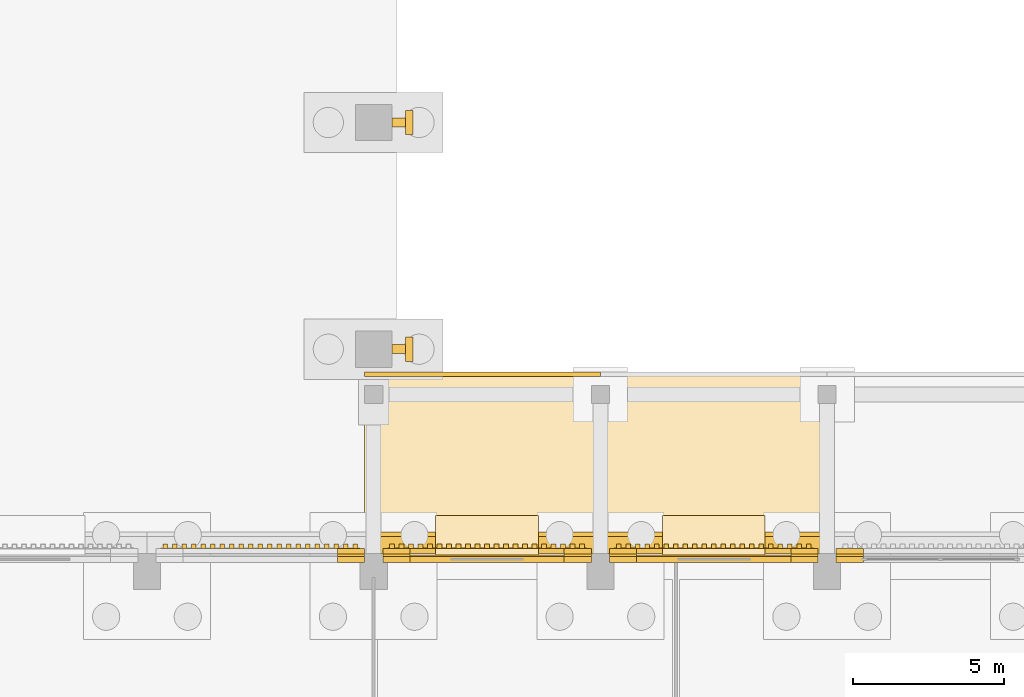
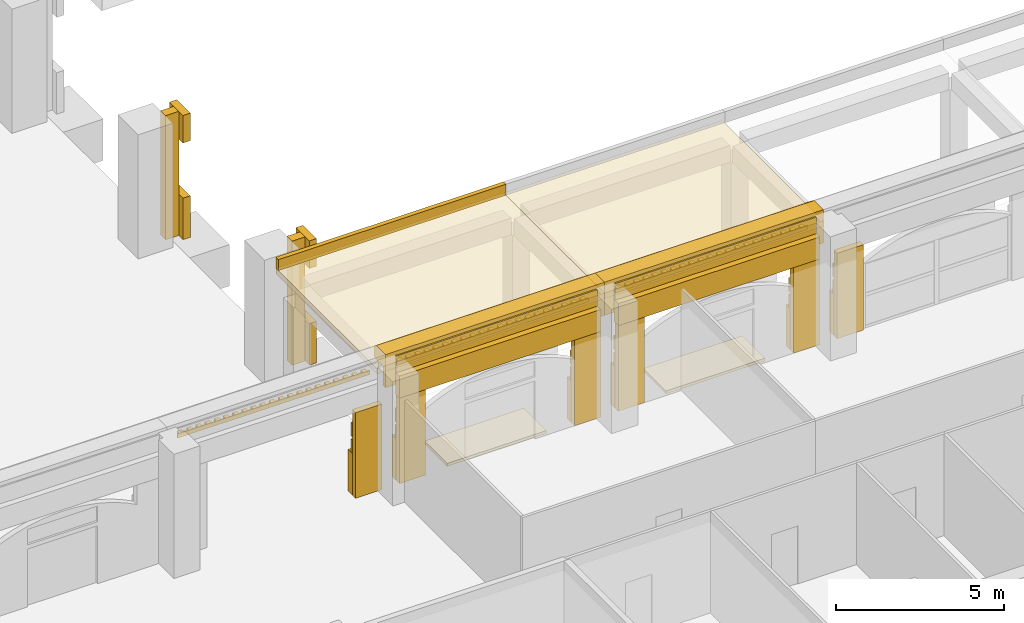
# One storey, part 78 of 99: 42 coverings, 1 element without a shape of its own.
"""IFC4 building model written with IfcOpenShell, lengths in metres."""

from ifc_helpers import new_model, si_unit, direction, frame, origin, place, context, subcontext, project, spatial, polyline, outline, extrude, material, layer, layer_set, type_object, element, aggregate, save


model = new_model("IFC4")

# Units and contexts
model_context = context("Model", 3, precision=1e-05, world=origin(), true_north=direction((0.0, 1.0)))
body_context = subcontext(model_context, "Body", "Model", "MODEL_VIEW")
ifc_project = project(units=[si_unit("LENGTHUNIT", "METRE"), si_unit("AREAUNIT", "SQUARE_METRE"), si_unit("VOLUMEUNIT", "CUBIC_METRE"), si_unit("PLANEANGLEUNIT", "RADIAN"), si_unit("MASSUNIT", "GRAM", prefix="KILO")], contexts=[model_context])

# Site, building, storey
site_placement = place(None, origin())
site = spatial("IfcSite", under=ifc_project, at=site_placement, CompositionType="ELEMENT")
building_placement = place(site_placement, origin())
building = spatial("IfcBuilding", under=site, at=building_placement, Name="Cour d'Honneur Mobility Palace", CompositionType="ELEMENT")
storey_placement = place(building_placement, origin())
storey = spatial("IfcBuildingStorey", under=building, at=storey_placement, Name="L00", CompositionType="ELEMENT", Elevation=0.0)

# Roof, coverings
ifc_material_1 = material(Name="Concrete C50", Category="concrete")
ifc_layer_1 = layer(ifc_material_1, 0.199951171875)
ifc_layer_set_1 = layer_set([ifc_layer_1], Name="Concrete C50")
roof_type = type_object("IfcRoofType", Name="Arcade canopy", PredefinedType="FLAT_ROOF", material=ifc_layer_set_1)
roof_placement = place(storey_placement, origin())
roof = element("IfcRoof", 1, at=roof_placement, inside=storey, type_object=roof_type, Name="Arcade canopy E", PredefinedType="FLAT_ROOF")
ifc_material_2 = material(Name="Concrete C50", Category="concrete")
ifc_layer_2 = layer(ifc_material_2, 0.199951171875)
ifc_layer_set_2 = layer_set([ifc_layer_2], Name="Concrete C50")
covering_type_1 = type_object("IfcCoveringType", Name="Arcade canopy slab 200", PredefinedType="ROOFING", material=ifc_layer_set_2)
covering_1_placement = place(storey_placement, frame((0.0, 0.0, 4.0)))
covering_1 = element("IfcCovering", 2, at=covering_1_placement, type_object=covering_type_1, Name="Arcade canopy slab AS-E1", PredefinedType="ROOFING", context=body_context, shape_type="SweptSolid", body=[
    extrude(outline(polyline([(99.60009765625, 63.14990234375), (107.39990234375, 63.14990234375), (107.39990234375, 69.14990234375), (99.60009765625, 69.14990234375), (99.60009765625, 63.14990234375)])), origin(), (0.0, 0.0, 1.0), 0.199951171875),
])
covering_2_placement = place(storey_placement, frame((0.0, 0.0, 4.0)))
covering_2 = element("IfcCovering", 3, at=covering_2_placement, type_object=covering_type_1, Name="Arcade canopy slab AS-E2", PredefinedType="ROOFING", context=body_context, shape_type="SweptSolid", body=[
    extrude(outline(polyline([(107.39990234375, 63.14990234375), (114.89990234375, 63.14990234375), (114.89990234375, 69.14990234375), (107.39990234375, 69.14990234375), (107.39990234375, 63.14990234375)])), origin(), (0.0, 0.0, 1.0), 0.199951171875),
])
ifc_material_3 = material(Name="Concrete C50", Category="concrete")
ifc_layer_3 = layer(ifc_material_3, 0.14990234375)
ifc_layer_set_3 = layer_set([ifc_layer_3], Name="Concrete C50")
covering_type_2 = type_object("IfcCoveringType", Name="Arcade parapet 400", PredefinedType="CLADDING", material=ifc_layer_set_3)
covering_3_placement = place(storey_placement, frame((0.0, 0.0, 4.199951171875)))
covering_3 = element("IfcCovering", 4, at=covering_3_placement, type_object=covering_type_2, Name="Arcade parapet AP-E1", PredefinedType="CLADDING", context=body_context, shape_type="SweptSolid", body=[
    extrude(outline(polyline([(99.60009765625, 69.0), (107.39990234375, 69.0), (107.39990234375, 69.14990234375), (99.60009765625, 69.14990234375), (99.60009765625, 69.0)])), origin(), (0.0, 0.0, 1.0), 0.400146484375),
])
aggregate(roof, [covering_1, covering_3, covering_2])

# Coverings
ifc_material_4 = material(Name="Cast limestone", Category="masonry")
ifc_layer_4 = layer(ifc_material_4, 0.14990234375)
ifc_layer_set_4 = layer_set([ifc_layer_4], Name="Cast limestone")
covering_type_3 = type_object("IfcCoveringType", Name="Dentil course", PredefinedType="CLADDING", material=ifc_layer_set_4)
covering_4_placement = place(storey_placement, frame((0.0, 0.0, 3.949951171875)))
element("IfcCovering", 5, at=covering_4_placement, inside=storey, type_object=covering_type_3, Name="Dentil course DC-42", PredefinedType="CLADDING", context=body_context, shape_type="SweptSolid", body=[
    extrude(outline(polyline([(114.449951171875, 63.300048828125), (107.85009765625, 63.300048828125), (107.85009765625, 63.330078125), (107.85009765625, 63.330078125), (107.928466796875, 63.330078125), (107.928466796875, 63.449951171875), (108.085693359375, 63.449951171875), (108.085693359375, 63.330078125), (108.164306640625, 63.330078125), (108.164306640625, 63.330078125), (108.242919921875, 63.330078125), (108.242919921875, 63.449951171875), (108.39990234375, 63.449951171875), (108.39990234375, 63.330078125), (108.478515625, 63.330078125), (108.478515625, 63.330078125), (108.55712890625, 63.330078125), (108.55712890625, 63.449951171875), (108.71435546875, 63.449951171875), (108.71435546875, 63.330078125), (108.79296875, 63.330078125), (108.79296875, 63.330078125), (108.871337890625, 63.330078125), (108.871337890625, 63.449951171875), (109.028564453125, 63.449951171875), (109.028564453125, 63.330078125), (109.107177734375, 63.330078125), (109.107177734375, 63.330078125), (109.185791015625, 63.330078125), (109.185791015625, 63.449951171875), (109.3427734375, 63.449951171875), (109.3427734375, 63.330078125), (109.42138671875, 63.330078125), (109.42138671875, 63.330078125), (109.5, 63.330078125), (109.5, 63.449951171875), (109.6572265625, 63.449951171875), (109.6572265625, 63.330078125), (109.735595703125, 63.330078125), (109.735595703125, 63.330078125), (109.814208984375, 63.330078125), (109.814208984375, 63.449951171875), (109.971435546875, 63.449951171875), (109.971435546875, 63.330078125), (110.050048828125, 63.330078125), (110.050048828125, 63.330078125), (110.128662109375, 63.330078125), (110.128662109375, 63.449951171875), (110.28564453125, 63.449951171875), (110.28564453125, 63.330078125), (110.3642578125, 63.330078125), (110.3642578125, 63.330078125), (110.44287109375, 63.330078125), (110.44287109375, 63.449951171875), (110.60009765625, 63.449951171875), (110.60009765625, 63.330078125), (110.678466796875, 63.330078125), (110.678466796875, 63.330078125), (110.757080078125, 63.330078125), (110.757080078125, 63.449951171875), (110.914306640625, 63.449951171875), (110.914306640625, 63.330078125), (110.992919921875, 63.330078125), (110.992919921875, 63.330078125), (111.071533203125, 63.330078125), (111.071533203125, 63.449951171875), (111.228515625, 63.449951171875), (111.228515625, 63.330078125), (111.30712890625, 63.330078125), (111.30712890625, 63.330078125), (111.3857421875, 63.330078125), (111.3857421875, 63.449951171875), (111.54296875, 63.449951171875), (111.54296875, 63.330078125), (111.621337890625, 63.330078125), (111.621337890625, 63.330078125), (111.699951171875, 63.330078125), (111.699951171875, 63.449951171875), (111.857177734375, 63.449951171875), (111.857177734375, 63.330078125), (111.935791015625, 63.330078125), (111.935791015625, 63.330078125), (112.014404296875, 63.330078125), (112.014404296875, 63.449951171875), (112.17138671875, 63.449951171875), (112.17138671875, 63.330078125), (112.25, 63.330078125), (112.25, 63.330078125), (112.32861328125, 63.330078125), (112.32861328125, 63.449951171875), (112.485595703125, 63.449951171875), (112.485595703125, 63.330078125), (112.564208984375, 63.330078125), (112.564208984375, 63.330078125), (112.642822265625, 63.330078125), (112.642822265625, 63.449951171875), (112.800048828125, 63.449951171875), (112.800048828125, 63.330078125), (112.878662109375, 63.330078125), (112.878662109375, 63.330078125), (112.95703125, 63.330078125), (112.95703125, 63.449951171875), (113.1142578125, 63.449951171875), (113.1142578125, 63.330078125), (113.19287109375, 63.330078125), (113.19287109375, 63.330078125), (113.271484375, 63.330078125), (113.271484375, 63.449951171875), (113.428466796875, 63.449951171875), (113.428466796875, 63.330078125), (113.507080078125, 63.330078125), (113.507080078125, 63.330078125), (113.585693359375, 63.330078125), (113.585693359375, 63.449951171875), (113.742919921875, 63.449951171875), (113.742919921875, 63.330078125), (113.821533203125, 63.330078125), (113.821533203125, 63.330078125), (113.89990234375, 63.330078125), (113.89990234375, 63.449951171875), (114.05712890625, 63.449951171875), (114.05712890625, 63.330078125), (114.1357421875, 63.330078125), (114.1357421875, 63.330078125), (114.21435546875, 63.330078125), (114.21435546875, 63.449951171875), (114.371337890625, 63.449951171875), (114.371337890625, 63.330078125), (114.449951171875, 63.330078125), (114.449951171875, 63.300048828125)])), origin(), (0.0, 0.0, 1.0), 0.150146484375),
])
covering_5_placement = place(storey_placement, frame((0.0, 0.0, 3.949951171875)))
element("IfcCovering", 6, at=covering_5_placement, inside=storey, type_object=covering_type_3, Name="Dentil course DC-43", PredefinedType="CLADDING", context=body_context, shape_type="SweptSolid", body=[
    extrude(outline(polyline([(106.949951171875, 63.300048828125), (100.35009765625, 63.300048828125), (100.35009765625, 63.330078125), (100.35009765625, 63.330078125), (100.428466796875, 63.330078125), (100.428466796875, 63.449951171875), (100.585693359375, 63.449951171875), (100.585693359375, 63.330078125), (100.664306640625, 63.330078125), (100.664306640625, 63.330078125), (100.742919921875, 63.330078125), (100.742919921875, 63.449951171875), (100.89990234375, 63.449951171875), (100.89990234375, 63.330078125), (100.978515625, 63.330078125), (100.978515625, 63.330078125), (101.05712890625, 63.330078125), (101.05712890625, 63.449951171875), (101.21435546875, 63.449951171875), (101.21435546875, 63.330078125), (101.29296875, 63.330078125), (101.29296875, 63.330078125), (101.371337890625, 63.330078125), (101.371337890625, 63.449951171875), (101.528564453125, 63.449951171875), (101.528564453125, 63.330078125), (101.607177734375, 63.330078125), (101.607177734375, 63.330078125), (101.685791015625, 63.330078125), (101.685791015625, 63.449951171875), (101.8427734375, 63.449951171875), (101.8427734375, 63.330078125), (101.92138671875, 63.330078125), (101.92138671875, 63.330078125), (102.0, 63.330078125), (102.0, 63.449951171875), (102.1572265625, 63.449951171875), (102.1572265625, 63.330078125), (102.235595703125, 63.330078125), (102.235595703125, 63.330078125), (102.314208984375, 63.330078125), (102.314208984375, 63.449951171875), (102.471435546875, 63.449951171875), (102.471435546875, 63.330078125), (102.550048828125, 63.330078125), (102.550048828125, 63.330078125), (102.628662109375, 63.330078125), (102.628662109375, 63.449951171875), (102.78564453125, 63.449951171875), (102.78564453125, 63.330078125), (102.8642578125, 63.330078125), (102.8642578125, 63.330078125), (102.94287109375, 63.330078125), (102.94287109375, 63.449951171875), (103.10009765625, 63.449951171875), (103.10009765625, 63.330078125), (103.178466796875, 63.330078125), (103.178466796875, 63.330078125), (103.257080078125, 63.330078125), (103.257080078125, 63.449951171875), (103.414306640625, 63.449951171875), (103.414306640625, 63.330078125), (103.492919921875, 63.330078125), (103.492919921875, 63.330078125), (103.571533203125, 63.330078125), (103.571533203125, 63.449951171875), (103.728515625, 63.449951171875), (103.728515625, 63.330078125), (103.80712890625, 63.330078125), (103.80712890625, 63.330078125), (103.8857421875, 63.330078125), (103.8857421875, 63.449951171875), (104.04296875, 63.449951171875), (104.04296875, 63.330078125), (104.121337890625, 63.330078125), (104.121337890625, 63.330078125), (104.199951171875, 63.330078125), (104.199951171875, 63.449951171875), (104.357177734375, 63.449951171875), (104.357177734375, 63.330078125), (104.435791015625, 63.330078125), (104.435791015625, 63.330078125), (104.514404296875, 63.330078125), (104.514404296875, 63.449951171875), (104.67138671875, 63.449951171875), (104.67138671875, 63.330078125), (104.75, 63.330078125), (104.75, 63.330078125), (104.82861328125, 63.330078125), (104.82861328125, 63.449951171875), (104.985595703125, 63.449951171875), (104.985595703125, 63.330078125), (105.064208984375, 63.330078125), (105.064208984375, 63.330078125), (105.142822265625, 63.330078125), (105.142822265625, 63.449951171875), (105.300048828125, 63.449951171875), (105.300048828125, 63.330078125), (105.378662109375, 63.330078125), (105.378662109375, 63.330078125), (105.45703125, 63.330078125), (105.45703125, 63.449951171875), (105.6142578125, 63.449951171875), (105.6142578125, 63.330078125), (105.69287109375, 63.330078125), (105.69287109375, 63.330078125), (105.771484375, 63.330078125), (105.771484375, 63.449951171875), (105.928466796875, 63.449951171875), (105.928466796875, 63.330078125), (106.007080078125, 63.330078125), (106.007080078125, 63.330078125), (106.085693359375, 63.330078125), (106.085693359375, 63.449951171875), (106.242919921875, 63.449951171875), (106.242919921875, 63.330078125), (106.321533203125, 63.330078125), (106.321533203125, 63.330078125), (106.39990234375, 63.330078125), (106.39990234375, 63.449951171875), (106.55712890625, 63.449951171875), (106.55712890625, 63.330078125), (106.6357421875, 63.330078125), (106.6357421875, 63.330078125), (106.71435546875, 63.330078125), (106.71435546875, 63.449951171875), (106.871337890625, 63.449951171875), (106.871337890625, 63.330078125), (106.949951171875, 63.330078125), (106.949951171875, 63.300048828125)])), origin(), (0.0, 0.0, 1.0), 0.150146484375),
])
covering_6_placement = place(storey_placement, frame((0.0, 0.0, 3.949951171875)))
element("IfcCovering", 7, at=covering_6_placement, inside=storey, type_object=covering_type_3, Name="Dentil course DC-44", PredefinedType="CLADDING", context=body_context, shape_type="SweptSolid", body=[
    extrude(outline(polyline([(99.449951171875, 63.300048828125), (92.85009765625, 63.300048828125), (92.85009765625, 63.330078125), (92.85009765625, 63.330078125), (92.928466796875, 63.330078125), (92.928466796875, 63.449951171875), (93.085693359375, 63.449951171875), (93.085693359375, 63.330078125), (93.164306640625, 63.330078125), (93.164306640625, 63.330078125), (93.242919921875, 63.330078125), (93.242919921875, 63.449951171875), (93.39990234375, 63.449951171875), (93.39990234375, 63.330078125), (93.478515625, 63.330078125), (93.478515625, 63.330078125), (93.55712890625, 63.330078125), (93.55712890625, 63.449951171875), (93.71435546875, 63.449951171875), (93.71435546875, 63.330078125), (93.79296875, 63.330078125), (93.79296875, 63.330078125), (93.871337890625, 63.330078125), (93.871337890625, 63.449951171875), (94.028564453125, 63.449951171875), (94.028564453125, 63.330078125), (94.107177734375, 63.330078125), (94.107177734375, 63.330078125), (94.185791015625, 63.330078125), (94.185791015625, 63.449951171875), (94.3427734375, 63.449951171875), (94.3427734375, 63.330078125), (94.42138671875, 63.330078125), (94.42138671875, 63.330078125), (94.5, 63.330078125), (94.5, 63.449951171875), (94.6572265625, 63.449951171875), (94.6572265625, 63.330078125), (94.735595703125, 63.330078125), (94.735595703125, 63.330078125), (94.814208984375, 63.330078125), (94.814208984375, 63.449951171875), (94.971435546875, 63.449951171875), (94.971435546875, 63.330078125), (95.050048828125, 63.330078125), (95.050048828125, 63.330078125), (95.128662109375, 63.330078125), (95.128662109375, 63.449951171875), (95.28564453125, 63.449951171875), (95.28564453125, 63.330078125), (95.3642578125, 63.330078125), (95.3642578125, 63.330078125), (95.44287109375, 63.330078125), (95.44287109375, 63.449951171875), (95.60009765625, 63.449951171875), (95.60009765625, 63.330078125), (95.678466796875, 63.330078125), (95.678466796875, 63.330078125), (95.757080078125, 63.330078125), (95.757080078125, 63.449951171875), (95.914306640625, 63.449951171875), (95.914306640625, 63.330078125), (95.992919921875, 63.330078125), (95.992919921875, 63.330078125), (96.071533203125, 63.330078125), (96.071533203125, 63.449951171875), (96.228515625, 63.449951171875), (96.228515625, 63.330078125), (96.30712890625, 63.330078125), (96.30712890625, 63.330078125), (96.3857421875, 63.330078125), (96.3857421875, 63.449951171875), (96.54296875, 63.449951171875), (96.54296875, 63.330078125), (96.621337890625, 63.330078125), (96.621337890625, 63.330078125), (96.699951171875, 63.330078125), (96.699951171875, 63.449951171875), (96.857177734375, 63.449951171875), (96.857177734375, 63.330078125), (96.935791015625, 63.330078125), (96.935791015625, 63.330078125), (97.014404296875, 63.330078125), (97.014404296875, 63.449951171875), (97.17138671875, 63.449951171875), (97.17138671875, 63.330078125), (97.25, 63.330078125), (97.25, 63.330078125), (97.32861328125, 63.330078125), (97.32861328125, 63.449951171875), (97.485595703125, 63.449951171875), (97.485595703125, 63.330078125), (97.564208984375, 63.330078125), (97.564208984375, 63.330078125), (97.642822265625, 63.330078125), (97.642822265625, 63.449951171875), (97.800048828125, 63.449951171875), (97.800048828125, 63.330078125), (97.878662109375, 63.330078125), (97.878662109375, 63.330078125), (97.95703125, 63.330078125), (97.95703125, 63.449951171875), (98.1142578125, 63.449951171875), (98.1142578125, 63.330078125), (98.19287109375, 63.330078125), (98.19287109375, 63.330078125), (98.271484375, 63.330078125), (98.271484375, 63.449951171875), (98.428466796875, 63.449951171875), (98.428466796875, 63.330078125), (98.507080078125, 63.330078125), (98.507080078125, 63.330078125), (98.585693359375, 63.330078125), (98.585693359375, 63.449951171875), (98.742919921875, 63.449951171875), (98.742919921875, 63.330078125), (98.821533203125, 63.330078125), (98.821533203125, 63.330078125), (98.89990234375, 63.330078125), (98.89990234375, 63.449951171875), (99.05712890625, 63.449951171875), (99.05712890625, 63.330078125), (99.1357421875, 63.330078125), (99.1357421875, 63.330078125), (99.21435546875, 63.330078125), (99.21435546875, 63.449951171875), (99.371337890625, 63.449951171875), (99.371337890625, 63.330078125), (99.449951171875, 63.330078125), (99.449951171875, 63.300048828125)])), origin(), (0.0, 0.0, 1.0), 0.150146484375),
])
ifc_material_5 = material(Name="Cast limestone", Category="masonry")
ifc_layer_5 = layer(ifc_material_5, 0.699951171875)
ifc_layer_set_5 = layer_set([ifc_layer_5], Name="Cast limestone")
covering_type_4 = type_object("IfcCoveringType", Name="Entablature", PredefinedType="CLADDING", material=ifc_layer_set_5)
for number, where, z_axis, x_axis, name in (
    (8, (114.89990234375, 63.14990234375, 3.39990234375), (1.0, 0.0, 0.0), (0.0, 1.0, 0.0), "Entablature EN-42"),
    (9, (107.39990234375, 63.14990234375, 3.39990234375), (1.0, 0.0, 0.0), (0.0, 1.0, 0.0), "Entablature EN-43"),
):
    element("IfcCovering", number, at=place(storey_placement, frame(where, z_axis=z_axis, x_axis=x_axis)), inside=storey, type_object=covering_type_4, Name=name, PredefinedType="CLADDING", context=body_context, shape_type="SweptSolid", body=[
        extrude(outline(polyline([(0.0, 0.0), (0.150146484375, 0.0), (0.150146484375, 0.7001953125), (0.7001953125, 0.7001953125), (0.7001953125, 1.10009765625), (0.550048828125, 1.2001953125), (0.0, 1.2001953125), (0.0, 0.0)])), origin(), (0.0, 0.0, -1.0), 7.5),
    ])
ifc_material_6 = material(Name="Granite paving", Category="masonry")
ifc_layer_6 = layer(ifc_material_6, 0.10009765625)
ifc_layer_set_6 = layer_set([ifc_layer_6], Name="Granite paving")
covering_type_5 = type_object("IfcCoveringType", Name="Entrance paving", PredefinedType="FLOORING", material=ifc_layer_set_6)
covering_7_placement = place(storey_placement, frame((0.0, 0.0, -0.10009765625)))
element("IfcCovering", 10, at=covering_7_placement, inside=storey, type_object=covering_type_5, Name="Entrance paving PV-16", PredefinedType="FLOORING", context=body_context, shape_type="SweptSolid", body=[
    extrude(outline(polyline([(112.85009765625, 63.050048828125), (109.449951171875, 63.050048828125), (109.449951171875, 64.39990234375), (112.85009765625, 64.39990234375), (112.85009765625, 63.050048828125)])), origin(), (0.0, 0.0, 1.0), 0.10009765625),
])
covering_8_placement = place(storey_placement, frame((0.0, 0.0, -0.10009765625)))
element("IfcCovering", 11, at=covering_8_placement, inside=storey, type_object=covering_type_5, Name="Entrance paving PV-17", PredefinedType="FLOORING", context=body_context, shape_type="SweptSolid", body=[
    extrude(outline(polyline([(105.35009765625, 63.050048828125), (101.949951171875, 63.050048828125), (101.949951171875, 64.39990234375), (105.35009765625, 64.39990234375), (105.35009765625, 63.050048828125)])), origin(), (0.0, 0.0, 1.0), 0.10009765625),
])
ifc_material_7 = material(Name="Cast limestone", Category="masonry")
ifc_layer_7 = layer(ifc_material_7, 0.300048828125)
ifc_layer_set_7 = layer_set([ifc_layer_7], Name="Cast limestone")
covering_type_6 = type_object("IfcCoveringType", Name="Pier fin", PredefinedType="CLADDING", material=ifc_layer_set_7)
covering_9_placement = place(storey_placement, origin())
element("IfcCovering", 12, at=covering_9_placement, inside=storey, type_object=covering_type_6, Name="Pier fin HP-E2 L00", PredefinedType="CLADDING", context=body_context, shape_type="SweptSolid", body=[
    extrude(outline(polyline([(100.5, 69.75), (100.949951171875, 69.75), (100.949951171875, 70.050048828125), (100.5, 70.050048828125), (100.5, 69.75)])), origin(), (0.0, 0.0, 1.0), 4.5),
])
covering_10_placement = place(storey_placement, origin())
element("IfcCovering", 13, at=covering_10_placement, inside=storey, type_object=covering_type_6, Name="Pier fin HP-E3 L00", PredefinedType="CLADDING", context=body_context, shape_type="SweptSolid", body=[
    extrude(outline(polyline([(100.5, 77.25), (100.949951171875, 77.25), (100.949951171875, 77.550048828125), (100.5, 77.550048828125), (100.5, 77.25)])), origin(), (0.0, 0.0, 1.0), 4.5),
])
ifc_material_8 = material(Name="Cast limestone", Category="masonry")
ifc_layer_8 = layer(ifc_material_8, 0.14990234375)
ifc_layer_set_8 = layer_set([ifc_layer_8], Name="Cast limestone")
covering_type_7 = type_object("IfcCoveringType", Name="Pilaster base", PredefinedType="CLADDING", material=ifc_layer_set_8)
covering_11_placement = place(storey_placement, origin())
element("IfcCovering", 14, at=covering_11_placement, inside=storey, type_object=covering_type_7, Name="Hall pilaster base HP-E2", PredefinedType="CLADDING", context=body_context, shape_type="SweptSolid", body=[
    extrude(outline(polyline([(100.949951171875, 69.5), (101.199951171875, 69.5), (101.199951171875, 70.300048828125), (100.949951171875, 70.300048828125), (100.949951171875, 69.5)])), origin(), (0.0, 0.0, 1.0), 1.5),
])
covering_12_placement = place(storey_placement, origin())
element("IfcCovering", 15, at=covering_12_placement, inside=storey, type_object=covering_type_7, Name="Hall pilaster base HP-E3", PredefinedType="CLADDING", context=body_context, shape_type="SweptSolid", body=[
    extrude(outline(polyline([(100.949951171875, 77.0), (101.199951171875, 77.0), (101.199951171875, 77.800048828125), (100.949951171875, 77.800048828125), (100.949951171875, 77.0)])), origin(), (0.0, 0.0, 1.0), 1.5),
])
ifc_material_9 = material(Name="Cast limestone", Category="masonry")
ifc_layer_9 = layer(ifc_material_9, 0.1201171875)
ifc_layer_set_9 = layer_set([ifc_layer_9], Name="Cast limestone")
covering_type_8 = type_object("IfcCoveringType", Name="Pilaster capital", PredefinedType="CLADDING", material=ifc_layer_set_9)
covering_13_placement = place(storey_placement, frame((0.0, 0.0, 3.5)))
element("IfcCovering", 16, at=covering_13_placement, inside=storey, type_object=covering_type_8, Name="Hall pilaster capital HP-E2", PredefinedType="CLADDING", context=body_context, shape_type="SweptSolid", body=[
    extrude(outline(polyline([(100.949951171875, 69.5), (101.199951171875, 69.5), (101.199951171875, 70.300048828125), (100.949951171875, 70.300048828125), (100.949951171875, 69.5)])), origin(), (0.0, 0.0, 1.0), 1.0),
])
covering_14_placement = place(storey_placement, frame((0.0, 0.0, 3.5)))
element("IfcCovering", 17, at=covering_14_placement, inside=storey, type_object=covering_type_8, Name="Hall pilaster capital HP-E3", PredefinedType="CLADDING", context=body_context, shape_type="SweptSolid", body=[
    extrude(outline(polyline([(100.949951171875, 77.0), (101.199951171875, 77.0), (101.199951171875, 77.800048828125), (100.949951171875, 77.800048828125), (100.949951171875, 77.0)])), origin(), (0.0, 0.0, 1.0), 1.0),
])
ifc_material_10 = material(Name="Cast limestone", Category="masonry")
ifc_layer_10 = layer(ifc_material_10, 0.25)
ifc_layer_set_10 = layer_set([ifc_layer_10], Name="Cast limestone")
covering_type_9 = type_object("IfcCoveringType", Name="Plinth course", PredefinedType="CLADDING", material=ifc_layer_set_10)
covering_15_placement = place(storey_placement, origin())
element("IfcCovering", 18, at=covering_15_placement, inside=storey, type_object=covering_type_9, Name="Plinth course PI-146", PredefinedType="CLADDING", context=body_context, shape_type="SweptSolid", body=[
    extrude(outline(polyline([(116.10009765625, 63.050048828125), (115.199951171875, 63.050048828125), (115.199951171875, 63.300048828125), (116.10009765625, 63.300048828125), (116.10009765625, 63.050048828125)])), origin(), (0.0, 0.0, 1.0), 1.5),
])
covering_16_placement = place(storey_placement, origin())
element("IfcCovering", 19, at=covering_16_placement, inside=storey, type_object=covering_type_9, Name="Plinth course PI-147", PredefinedType="CLADDING", context=body_context, shape_type="SweptSolid", body=[
    extrude(outline(polyline([(114.60009765625, 63.050048828125), (113.699951171875, 63.050048828125), (113.699951171875, 63.300048828125), (114.60009765625, 63.300048828125), (114.60009765625, 63.050048828125)])), origin(), (0.0, 0.0, 1.0), 1.5),
])
covering_17_placement = place(storey_placement, origin())
element("IfcCovering", 20, at=covering_17_placement, inside=storey, type_object=covering_type_9, Name="Plinth course PI-148", PredefinedType="CLADDING", context=body_context, shape_type="SweptSolid", body=[
    extrude(outline(polyline([(108.60009765625, 63.050048828125), (107.699951171875, 63.050048828125), (107.699951171875, 63.300048828125), (108.60009765625, 63.300048828125), (108.60009765625, 63.050048828125)])), origin(), (0.0, 0.0, 1.0), 1.5),
])
covering_18_placement = place(storey_placement, origin())
element("IfcCovering", 21, at=covering_18_placement, inside=storey, type_object=covering_type_9, Name="Plinth course PI-149", PredefinedType="CLADDING", context=body_context, shape_type="SweptSolid", body=[
    extrude(outline(polyline([(107.10009765625, 63.050048828125), (106.199951171875, 63.050048828125), (106.199951171875, 63.300048828125), (107.10009765625, 63.300048828125), (107.10009765625, 63.050048828125)])), origin(), (0.0, 0.0, 1.0), 1.5),
])
covering_19_placement = place(storey_placement, origin())
element("IfcCovering", 22, at=covering_19_placement, inside=storey, type_object=covering_type_9, Name="Plinth course PI-150", PredefinedType="CLADDING", context=body_context, shape_type="SweptSolid", body=[
    extrude(outline(polyline([(101.10009765625, 63.050048828125), (100.199951171875, 63.050048828125), (100.199951171875, 63.300048828125), (101.10009765625, 63.300048828125), (101.10009765625, 63.050048828125)])), origin(), (0.0, 0.0, 1.0), 1.5),
])
covering_20_placement = place(storey_placement, origin())
element("IfcCovering", 23, at=covering_20_placement, inside=storey, type_object=covering_type_9, Name="Plinth course PI-151", PredefinedType="CLADDING", context=body_context, shape_type="SweptSolid", body=[
    extrude(outline(polyline([(99.60009765625, 63.050048828125), (98.699951171875, 63.050048828125), (98.699951171875, 63.300048828125), (99.60009765625, 63.300048828125), (99.60009765625, 63.050048828125)])), origin(), (0.0, 0.0, 1.0), 1.5),
])
ifc_material_11 = material(Name="Cast limestone", Category="masonry")
ifc_layer_11 = layer(ifc_material_11, 0.199951171875)
ifc_layer_set_11 = layer_set([ifc_layer_11], Name="Cast limestone")
covering_type_10 = type_object("IfcCoveringType", Name="Rusticated jamb panel", PredefinedType="CLADDING", material=ifc_layer_set_11)
for number, where, z_axis, x_axis, name in (
    (24, (116.10009765625, 63.050048828125, 0.0), (0.0, 1.0, 0.0), (-1.0, 0.0, 0.0), "Rusticated jamb panel RP-119"),
    (25, (114.60009765625, 63.050048828125, 0.0), (0.0, 1.0, 0.0), (-1.0, 0.0, 0.0), "Rusticated jamb panel RP-120"),
    (26, (108.60009765625, 63.050048828125, 0.0), (0.0, 1.0, 0.0), (-1.0, 0.0, 0.0), "Rusticated jamb panel RP-121"),
    (27, (107.10009765625, 63.050048828125, 0.0), (0.0, 1.0, 0.0), (-1.0, 0.0, 0.0), "Rusticated jamb panel RP-122"),
    (28, (101.10009765625, 63.050048828125, 0.0), (0.0, 1.0, 0.0), (-1.0, 0.0, 0.0), "Rusticated jamb panel RP-123"),
    (29, (99.60009765625, 63.050048828125, 0.0), (0.0, 1.0, 0.0), (-1.0, 0.0, 0.0), "Rusticated jamb panel RP-124"),
):
    element("IfcCovering", number, at=place(storey_placement, frame(where, z_axis=z_axis, x_axis=x_axis)), inside=storey, type_object=covering_type_10, Name=name, PredefinedType="CLADDING", context=body_context, shape_type="SweptSolid", body=[
        extrude(outline(polyline([(0.0, 0.0), (0.900146484375, 0.0), (0.900146484375, 3.10009765625), (0.0, 3.10009765625), (0.0, 0.0)])), origin(), (0.0, 0.0, -1.0), 0.199951171875),
    ])
ifc_material_12 = material(Name="Cast limestone", Category="masonry")
ifc_layer_12 = layer(ifc_material_12, 0.080078125)
ifc_layer_set_12 = layer_set([ifc_layer_12], Name="Cast limestone")
covering_type_11 = type_object("IfcCoveringType", Name="Rustication course", PredefinedType="CLADDING", material=ifc_layer_set_12)
for number, where, name in (
    (30, (0.0, 0.0, 1.5), "Rustication course RC-257"),
    (31, (0.0, 0.0, 2.10009765625), "Rustication course RC-258"),
):
    element("IfcCovering", number, at=place(storey_placement, frame(where)), inside=storey, type_object=covering_type_11, Name=name, PredefinedType="CLADDING", context=body_context, shape_type="SweptSolid", body=[
        extrude(outline(polyline([(116.10009765625, 63.050048828125), (115.199951171875, 63.050048828125), (115.199951171875, 63.1298828125), (116.10009765625, 63.1298828125), (116.10009765625, 63.050048828125)])), origin(), (0.0, 0.0, 1.0), 0.47998046875),
    ])
for number, where, name in (
    (32, (0.0, 0.0, 1.5), "Rustication course RC-259"),
    (33, (0.0, 0.0, 2.10009765625), "Rustication course RC-260"),
):
    element("IfcCovering", number, at=place(storey_placement, frame(where)), inside=storey, type_object=covering_type_11, Name=name, PredefinedType="CLADDING", context=body_context, shape_type="SweptSolid", body=[
        extrude(outline(polyline([(114.60009765625, 63.050048828125), (113.699951171875, 63.050048828125), (113.699951171875, 63.1298828125), (114.60009765625, 63.1298828125), (114.60009765625, 63.050048828125)])), origin(), (0.0, 0.0, 1.0), 0.47998046875),
    ])
for number, where, name in (
    (34, (0.0, 0.0, 1.5), "Rustication course RC-261"),
    (35, (0.0, 0.0, 2.10009765625), "Rustication course RC-262"),
):
    element("IfcCovering", number, at=place(storey_placement, frame(where)), inside=storey, type_object=covering_type_11, Name=name, PredefinedType="CLADDING", context=body_context, shape_type="SweptSolid", body=[
        extrude(outline(polyline([(108.60009765625, 63.050048828125), (107.699951171875, 63.050048828125), (107.699951171875, 63.1298828125), (108.60009765625, 63.1298828125), (108.60009765625, 63.050048828125)])), origin(), (0.0, 0.0, 1.0), 0.47998046875),
    ])
for number, where, name in (
    (36, (0.0, 0.0, 1.5), "Rustication course RC-263"),
    (37, (0.0, 0.0, 2.10009765625), "Rustication course RC-264"),
):
    element("IfcCovering", number, at=place(storey_placement, frame(where)), inside=storey, type_object=covering_type_11, Name=name, PredefinedType="CLADDING", context=body_context, shape_type="SweptSolid", body=[
        extrude(outline(polyline([(107.10009765625, 63.050048828125), (106.199951171875, 63.050048828125), (106.199951171875, 63.1298828125), (107.10009765625, 63.1298828125), (107.10009765625, 63.050048828125)])), origin(), (0.0, 0.0, 1.0), 0.47998046875),
    ])
for number, where, name in (
    (38, (0.0, 0.0, 1.5), "Rustication course RC-265"),
    (39, (0.0, 0.0, 2.10009765625), "Rustication course RC-266"),
):
    element("IfcCovering", number, at=place(storey_placement, frame(where)), inside=storey, type_object=covering_type_11, Name=name, PredefinedType="CLADDING", context=body_context, shape_type="SweptSolid", body=[
        extrude(outline(polyline([(101.10009765625, 63.050048828125), (100.199951171875, 63.050048828125), (100.199951171875, 63.1298828125), (101.10009765625, 63.1298828125), (101.10009765625, 63.050048828125)])), origin(), (0.0, 0.0, 1.0), 0.47998046875),
    ])
for number, where, name in (
    (40, (0.0, 0.0, 1.5), "Rustication course RC-267"),
    (41, (0.0, 0.0, 2.10009765625), "Rustication course RC-268"),
):
    element("IfcCovering", number, at=place(storey_placement, frame(where)), inside=storey, type_object=covering_type_11, Name=name, PredefinedType="CLADDING", context=body_context, shape_type="SweptSolid", body=[
        extrude(outline(polyline([(99.60009765625, 63.050048828125), (98.699951171875, 63.050048828125), (98.699951171875, 63.1298828125), (99.60009765625, 63.1298828125), (99.60009765625, 63.050048828125)])), origin(), (0.0, 0.0, 1.0), 0.47998046875),
    ])
ifc_material_13 = material(Name="Cast limestone", Category="masonry")
ifc_layer_13 = layer(ifc_material_13, 0.25)
ifc_layer_set_13 = layer_set([ifc_layer_13], Name="Cast limestone")
covering_type_12 = type_object("IfcCoveringType", Name="Spandrel cladding", PredefinedType="CLADDING", material=ifc_layer_set_13)
for number, where, z_axis, x_axis, name in (
    (42, (114.60009765625, 62.85009765625, 3.10009765625), (1.0, 0.0, 0.0), (0.0, 1.0, 0.0), "Spandrel cladding SK-42"),
    (43, (107.10009765625, 62.85009765625, 3.10009765625), (1.0, 0.0, 0.0), (0.0, 1.0, 0.0), "Spandrel cladding SK-43"),
):
    element("IfcCovering", number, at=place(storey_placement, frame(where, z_axis=z_axis, x_axis=x_axis)), inside=storey, type_object=covering_type_12, Name=name, PredefinedType="CLADDING", context=body_context, shape_type="SweptSolid", body=[
        extrude(outline(polyline([(0.0, 0.0), (0.25, 0.0), (0.25, 1.39990234375), (0.199951171875, 1.39990234375), (0.199951171875, 0.7998046875), (0.0, 0.7998046875), (0.0, 0.0)])), origin(), (0.0, 0.0, -1.0), 6.89990234375),
    ])

save(model, "model.ifc")
